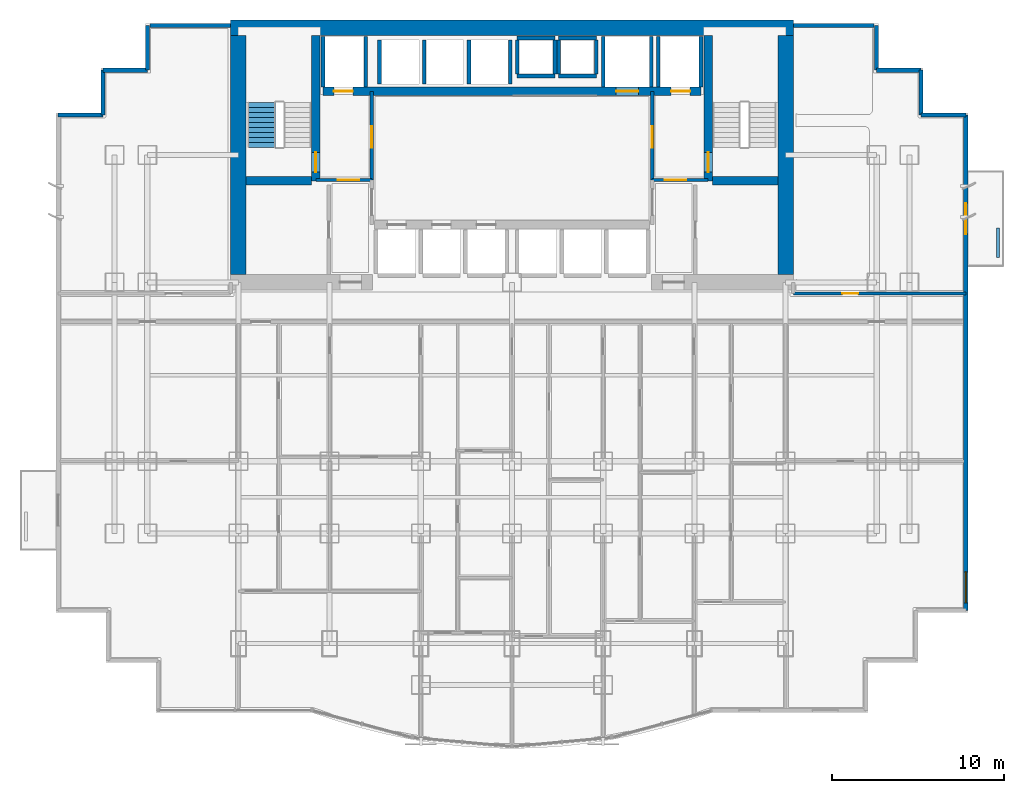
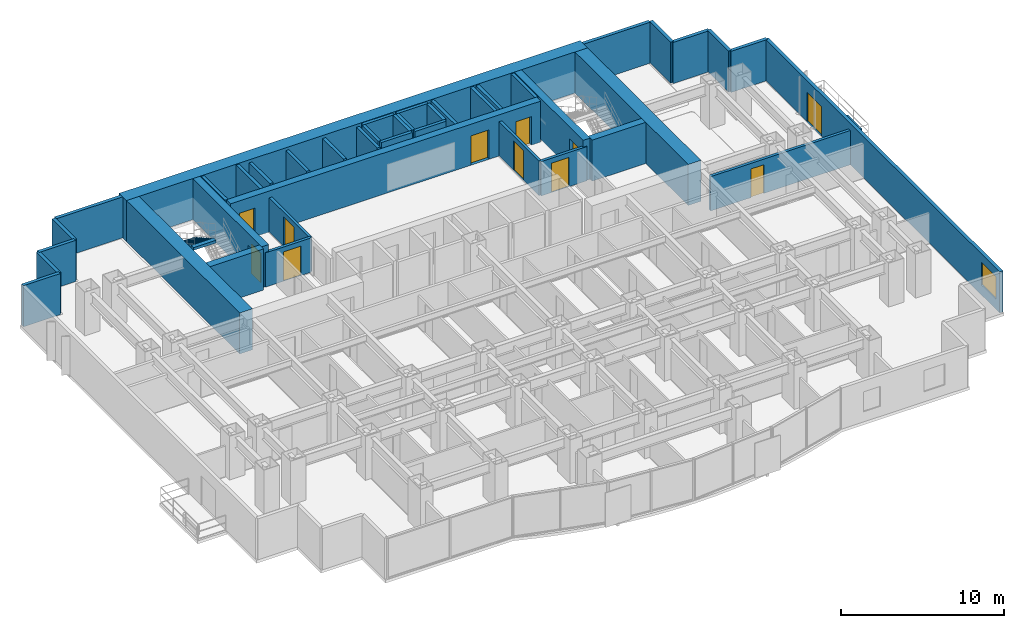
# One storey, part 7 of 10: 43 walls, 11 doors, 1 stair flight, 1 window, 12 openings, 1 element without a shape of its own.
"""IFC4 building model written with IfcOpenShell, lengths in metres."""

from ifc_helpers import new_model, si_unit, direction, frame, frame_2d, origin, place, context, subcontext, project, spatial, polyline, rectangle, outline, extrude, material, layer, layer_set, type_object, element, fill, aggregate, save


model = new_model("IFC4")

# Units and contexts
model_context = context("Model", 3, precision=1e-05, world=origin(), true_north=direction((0.0, 1.0)))
body_context = subcontext(model_context, "Body", "Model", "MODEL_VIEW")
ifc_project = project(units=[si_unit("LENGTHUNIT", "METRE"), si_unit("AREAUNIT", "SQUARE_METRE"), si_unit("VOLUMEUNIT", "CUBIC_METRE"), si_unit("PLANEANGLEUNIT", "RADIAN"), si_unit("MASSUNIT", "GRAM", prefix="KILO")], contexts=[model_context])

# Site, building, storey
site_placement = place(None, origin())
site = spatial("IfcSite", under=ifc_project, at=site_placement, CompositionType="ELEMENT")
building_placement = place(site_placement, origin())
building = spatial("IfcBuilding", under=site, at=building_placement, Name="Qianlan Lanfeng Residences", CompositionType="ELEMENT")
storey_placement = place(building_placement, frame((0.0, 0.0, 60.5)))
storey = spatial("IfcBuildingStorey", under=building, at=storey_placement, Name="L16", CompositionType="ELEMENT", Elevation=60.5)

# Wall, opening, door
ifc_material_1 = material(Name="Concrete C70", Category="concrete")
ifc_layer_1 = layer(ifc_material_1, 0.5)
ifc_layer_set_1 = layer_set([ifc_layer_1], Name="Concrete C70")
wall_type_1 = type_object("IfcWallType", Name="CW-RC-500", PredefinedType="SHEAR", material=ifc_layer_set_1)
wall_1_placement = place(storey_placement, frame((15.10009765625, 31.10009765625, 0.0), z_axis=(0.0, 0.0, 1.0), x_axis=(0.0, 1.0, 0.0)))
wall_1 = element("IfcWall", 1, at=wall_1_placement, inside=storey, type_object=wall_type_1, Name="L16 Core Shear Wall ST1E", PredefinedType="SHEAR", context=body_context, shape_type="SweptSolid", body=[
    extrude(rectangle(XDim=8.449951171875, YDim=0.5, at=frame_2d((4.22509765625, 0.0))), origin(), (0.0, 0.0, 1.0), 3.080078125),
])
opening_1_placement = place(wall_1_placement, frame((0.510009765625, 0.0, 0.0)))
opening_1 = element("IfcOpeningElement", 2, at=opening_1_placement, cuts=wall_1, Name="Opening L16-D07", PredefinedType="OPENING", context=body_context, shape_type="SweptSolid", body=[
    extrude(rectangle(XDim=1.14990234375, YDim=2.199951171875, at=frame_2d((0.574951171875, 1.10009765625))), frame((0.0, 0.260009765625, 0.0), z_axis=(0.0, -1.0, 0.0), x_axis=(1.0, 0.0, 0.0)), (0.0, 0.0, 1.0), 0.52001953125),
])
ifc_material_2 = material(Name="Painted Galvanised Steel Fire Door", Category="steel")
door_type_1 = type_object("IfcDoorType", Name="DT-ST1", OperationType="NOTDEFINED", PredefinedType="DOOR", material=ifc_material_2)
door_1_placement = place(opening_1_placement, frame((1.14990234375, 0.0, 0.0), z_axis=(0.0, 0.0, 1.0), x_axis=(-1.0, 0.0, 0.0)))
door_1 = element("IfcDoor", 3, at=door_1_placement, inside=storey, type_object=door_type_1, Name="L16 Exit Stair ST-1 Door L16-D07 (DT-ST1)", OperationType="SINGLE_SWING_RIGHT", OverallHeight=2.199951171875, OverallWidth=1.14990234375, PredefinedType="DOOR", context=body_context, shape_type="SweptSolid", body=[
    extrude(rectangle(XDim=1.14990234375, YDim=2.199951171875, at=frame_2d((0.574951171875, 1.10009765625))), frame((0.0, 0.02490234375, 0.0), z_axis=(0.0, -1.0, 0.0), x_axis=(1.0, 0.0, 0.0)), (0.0, 0.0, 1.0), 0.050048828125),
])
fill(opening_1, door_1)

# Wall
wall_2_placement = place(storey_placement, frame((11.050048828125, 31.10009765625, 0.0), z_axis=(0.0, 0.0, 1.0), x_axis=(1.0, 0.0, 0.0)))
element("IfcWall", 4, at=wall_2_placement, inside=storey, type_object=wall_type_1, Name="L16 Core Shear Wall ST1S", PredefinedType="SHEAR", context=body_context, shape_type="SweptSolid", body=[
    extrude(rectangle(XDim=3.800048828125, YDim=0.5, at=frame_2d((1.89990234375, 0.0))), origin(), (0.0, 0.0, 1.0), 3.080078125),
])

# Wall, opening, door
wall_3_placement = place(storey_placement, frame((37.89990234375, 31.10009765625, 0.0), z_axis=(0.0, 0.0, 1.0), x_axis=(0.0, 1.0, 0.0)))
wall_3 = element("IfcWall", 5, at=wall_3_placement, inside=storey, type_object=wall_type_1, Name="L16 Core Shear Wall ST2W", PredefinedType="SHEAR", context=body_context, shape_type="SweptSolid", body=[
    extrude(rectangle(XDim=8.449951171875, YDim=0.5, at=frame_2d((4.22509765625, 0.0))), origin(), (0.0, 0.0, 1.0), 3.080078125),
])
opening_2_placement = place(wall_3_placement, frame((0.510009765625, 0.0, 0.0)))
opening_2 = element("IfcOpeningElement", 6, at=opening_2_placement, cuts=wall_3, Name="Opening L16-D08", PredefinedType="OPENING", context=body_context, shape_type="SweptSolid", body=[
    extrude(rectangle(XDim=1.14990234375, YDim=2.199951171875, at=frame_2d((0.574951171875, 1.10009765625))), frame((0.0, 0.260009765625, 0.0), z_axis=(0.0, -1.0, 0.0), x_axis=(1.0, 0.0, 0.0)), (0.0, 0.0, 1.0), 0.52001953125),
])
door_2_placement = place(opening_2_placement, origin())
door_2 = element("IfcDoor", 7, at=door_2_placement, inside=storey, type_object=door_type_1, Name="L16 Exit Stair ST-2 Door L16-D08 (DT-ST1)", OperationType="SINGLE_SWING_RIGHT", OverallHeight=2.199951171875, OverallWidth=1.14990234375, PredefinedType="DOOR", context=body_context, shape_type="SweptSolid", body=[
    extrude(rectangle(XDim=1.14990234375, YDim=2.199951171875, at=frame_2d((0.574951171875, 1.10009765625))), frame((0.0, 0.02490234375, 0.0), z_axis=(0.0, -1.0, 0.0), x_axis=(1.0, 0.0, 0.0)), (0.0, 0.0, 1.0), 0.050048828125),
])
fill(opening_2, door_2)

# Wall
wall_4_placement = place(storey_placement, frame((38.14990234375, 31.10009765625, 0.0), z_axis=(0.0, 0.0, 1.0), x_axis=(1.0, 0.0, 0.0)))
element("IfcWall", 8, at=wall_4_placement, inside=storey, type_object=wall_type_1, Name="L16 Core Shear Wall ST2S", PredefinedType="SHEAR", context=body_context, shape_type="SweptSolid", body=[
    extrude(rectangle(XDim=3.800048828125, YDim=0.5, at=frame_2d((1.89990234375, 0.0))), origin(), (0.0, 0.0, 1.0), 3.080078125),
])

# Wall, openings, doors
wall_5_placement = place(storey_placement, frame((15.5, 36.300048828125, 0.0), z_axis=(0.0, 0.0, 1.0), x_axis=(1.0, 0.0, 0.0)))
wall_5 = element("IfcWall", 9, at=wall_5_placement, inside=storey, type_object=wall_type_1, Name="L16 Core Shear Wall LBN", PredefinedType="SHEAR", context=body_context, shape_type="SweptSolid", body=[
    extrude(rectangle(XDim=22.0, YDim=0.5, at=frame_2d((11.0, 0.0))), origin(), (0.0, 0.0, 1.0), 3.080078125),
])
opening_3_placement = place(wall_5_placement, frame((0.64990234375, 0.0, 0.0)))
opening_3 = element("IfcOpeningElement", 10, at=opening_3_placement, cuts=wall_5, Name="Opening L16-LD-FFL-1", PredefinedType="OPENING", context=body_context, shape_type="SweptSolid", body=[
    extrude(rectangle(XDim=1.10009765625, YDim=2.14990234375, at=frame_2d((0.550048828125, 1.074951171875))), frame((0.0, 0.260009765625, 0.0), z_axis=(0.0, -1.0, 0.0), x_axis=(1.0, 0.0, 0.0)), (0.0, 0.0, 1.0), 0.52001953125),
])
opening_4_placement = place(wall_5_placement, frame((20.25, 0.0, 0.0)))
opening_4 = element("IfcOpeningElement", 11, at=opening_4_placement, cuts=wall_5, Name="Opening L16-LD-FFL-2", PredefinedType="OPENING", context=body_context, shape_type="SweptSolid", body=[
    extrude(rectangle(XDim=1.10009765625, YDim=2.14990234375, at=frame_2d((0.550048828125, 1.074951171875))), frame((0.0, 0.260009765625, 0.0), z_axis=(0.0, -1.0, 0.0), x_axis=(1.0, 0.0, 0.0)), (0.0, 0.0, 1.0), 0.52001953125),
])
opening_5_placement = place(wall_5_placement, frame((17.050048828125, 0.0, 0.0)))
opening_5 = element("IfcOpeningElement", 12, at=opening_5_placement, cuts=wall_5, Name="Opening L16-LD-SVL-1", PredefinedType="OPENING", context=body_context, shape_type="SweptSolid", body=[
    extrude(rectangle(XDim=1.300048828125, YDim=2.199951171875, at=frame_2d((0.64990234375, 1.10009765625))), frame((0.0, 0.260009765625, 0.0), z_axis=(0.0, -1.0, 0.0), x_axis=(1.0, 0.0, 0.0)), (0.0, 0.0, 1.0), 0.52001953125),
])
ifc_material_3 = material(Name="Brushed Stainless Steel Sliding Lift Door", Category="steel")
door_type_2 = type_object("IfcDoorType", Name="LD-01", OperationType="NOTDEFINED", PredefinedType="DOOR", material=ifc_material_3)
door_3_placement = place(opening_3_placement, frame((1.10009765625, 0.0, 0.0), z_axis=(0.0, 0.0, 1.0), x_axis=(-1.0, 0.0, 0.0)))
door_3 = element("IfcDoor", 13, at=door_3_placement, inside=storey, type_object=door_type_2, Name="L16 Elevator FFL-1 Sliding Landing Door", OperationType="DOUBLE_DOOR_SLIDING", OverallHeight=2.14990234375, OverallWidth=1.10009765625, PredefinedType="DOOR", context=body_context, shape_type="SweptSolid", body=[
    extrude(rectangle(XDim=1.10009765625, YDim=2.14990234375, at=frame_2d((0.550048828125, 1.074951171875))), frame((0.0, 0.02490234375, 0.0), z_axis=(0.0, -1.0, 0.0), x_axis=(1.0, 0.0, 0.0)), (0.0, 0.0, 1.0), 0.050048828125),
])
fill(opening_3, door_3)
door_4_placement = place(opening_4_placement, frame((1.10009765625, 0.0, 0.0), z_axis=(0.0, 0.0, 1.0), x_axis=(-1.0, 0.0, 0.0)))
door_4 = element("IfcDoor", 14, at=door_4_placement, inside=storey, type_object=door_type_2, Name="L16 Elevator FFL-2 Sliding Landing Door", OperationType="DOUBLE_DOOR_SLIDING", OverallHeight=2.14990234375, OverallWidth=1.10009765625, PredefinedType="DOOR", context=body_context, shape_type="SweptSolid", body=[
    extrude(rectangle(XDim=1.10009765625, YDim=2.14990234375, at=frame_2d((0.550048828125, 1.074951171875))), frame((0.0, 0.02490234375, 0.0), z_axis=(0.0, -1.0, 0.0), x_axis=(1.0, 0.0, 0.0)), (0.0, 0.0, 1.0), 0.050048828125),
])
fill(opening_4, door_4)
door_type_3 = type_object("IfcDoorType", Name="LD-02", OperationType="NOTDEFINED", PredefinedType="DOOR", material=ifc_material_3)
door_5_placement = place(opening_5_placement, frame((1.300048828125, 0.0, 0.0), z_axis=(0.0, 0.0, 1.0), x_axis=(-1.0, 0.0, 0.0)))
door_5 = element("IfcDoor", 15, at=door_5_placement, inside=storey, type_object=door_type_3, Name="L16 Elevator SVL-1 Sliding Landing Door", OperationType="DOUBLE_DOOR_SLIDING", OverallHeight=2.199951171875, OverallWidth=1.300048828125, PredefinedType="DOOR", context=body_context, shape_type="SweptSolid", body=[
    extrude(rectangle(XDim=1.300048828125, YDim=2.199951171875, at=frame_2d((0.64990234375, 1.10009765625))), frame((0.0, 0.02490234375, 0.0), z_axis=(0.0, -1.0, 0.0), x_axis=(1.0, 0.0, 0.0)), (0.0, 0.0, 1.0), 0.050048828125),
])
fill(opening_5, door_5)

# Walls
ifc_layer_2 = layer(ifc_material_1, 0.89990234375)
ifc_layer_set_2 = layer_set([ifc_layer_2], Name="Concrete C70")
wall_type_2 = type_object("IfcWallType", Name="CW-RC-900", PredefinedType="SHEAR", material=ifc_layer_set_2)
wall_6_placement = place(storey_placement, frame((10.14990234375, 40.0, 0.0), z_axis=(0.0, 0.0, 1.0), x_axis=(1.0, 0.0, 0.0)))
element("IfcWall", 16, at=wall_6_placement, inside=storey, type_object=wall_type_2, Name="L16 Core Shear Wall N", PredefinedType="SHEAR", context=body_context, shape_type="SweptSolid", body=[
    extrude(rectangle(XDim=32.7001953125, YDim=0.89990234375, at=frame_2d((16.35009765625, 0.0))), origin(), (0.0, 0.0, 1.0), 3.080078125),
])
for number, where, z_axis, x_axis, name in (
    (17, (10.60009765625, 25.64990234375, 0.0), (0.0, 0.0, 1.0), (0.0, 1.0, 0.0), "L16 Core Shear Wall W"),
    (18, (42.39990234375, 25.64990234375, 0.0), (0.0, 0.0, 1.0), (0.0, 1.0, 0.0), "L16 Core Shear Wall E"),
):
    element("IfcWall", number, at=place(storey_placement, frame(where, z_axis=z_axis, x_axis=x_axis)), inside=storey, type_object=wall_type_2, Name=name, PredefinedType="SHEAR", context=body_context, shape_type="SweptSolid", body=[
        extrude(rectangle(XDim=13.900146484375, YDim=0.89990234375, at=frame_2d((6.9501953125, 0.0))), origin(), (0.0, 0.0, 1.0), 3.080078125),
    ])

# Wall, openings, door, window
ifc_material_4 = material(Name="Concrete C42", Category="concrete")
ifc_layer_3 = layer(ifc_material_4, 0.239990234375)
ifc_layer_set_3 = layer_set([ifc_layer_3], Name="Concrete C42")
wall_type_3 = type_object("IfcWallType", Name="EW-240", PredefinedType="SOLIDWALL", material=ifc_layer_set_3)
wall_7_placement = place(storey_placement, frame((52.8798828125, 6.1201171875, 0.0), z_axis=(0.0, 0.0, 1.0), x_axis=(0.0, 1.0, 0.0)))
wall_7 = element("IfcWall", 19, at=wall_7_placement, inside=storey, type_object=wall_type_3, Name="L16 Terrace/Balcony Access Exterior Wall 10", PredefinedType="SOLIDWALL", context=body_context, shape_type="SweptSolid", body=[
    extrude(rectangle(XDim=28.809814453125, YDim=0.239990234375, at=frame_2d((14.40478515625, 0.0))), origin(), (0.0, 0.0, 1.0), 3.080078125),
])
opening_6_placement = place(wall_7_placement, frame((21.8798828125, 0.0, 0.0)))
opening_6 = element("IfcOpeningElement", 20, at=opening_6_placement, cuts=wall_7, Name="Opening L16-D-EB-N", PredefinedType="OPENING", context=body_context, shape_type="SweptSolid", body=[
    extrude(rectangle(XDim=1.800048828125, YDim=2.199951171875, at=frame_2d((0.89990234375, 1.10009765625))), frame((0.0, 0.1298828125, 0.0), z_axis=(0.0, -1.0, 0.0), x_axis=(1.0, 0.0, 0.0)), (0.0, 0.0, 1.0), 0.260009765625),
])
opening_7_placement = place(wall_7_placement, frame((0.449951171875, 0.0, 0.75)))
opening_7 = element("IfcOpeningElement", 21, at=opening_7_placement, cuts=wall_7, Name="Opening W-01", PredefinedType="OPENING", context=body_context, shape_type="SweptSolid", body=[
    extrude(rectangle(XDim=1.800048828125, YDim=1.699951171875, at=frame_2d((0.89990234375, 0.85009765625))), frame((0.0, 0.1298828125, 0.0), z_axis=(0.0, -1.0, 0.0), x_axis=(1.0, 0.0, 0.0)), (0.0, 0.0, 1.0), 0.260009765625),
])
ifc_material_5 = material(Name="Anodised Bronze Aluminium Framed Glass", Category="aluminium")
door_type_4 = type_object("IfcDoorType", Name="DT-BAL1", OperationType="NOTDEFINED", PredefinedType="DOOR", material=ifc_material_5)
door_6_placement = place(opening_6_placement, frame((1.800048828125, 0.0, 0.0), z_axis=(0.0, 0.0, 1.0), x_axis=(-1.0, 0.0, 0.0)))
door_6 = element("IfcDoor", 22, at=door_6_placement, inside=storey, type_object=door_type_4, Name="L16 Exterior Access Door EB-N", OperationType="DOUBLE_DOOR_SLIDING", OverallHeight=2.199951171875, OverallWidth=1.800048828125, PredefinedType="DOOR", context=body_context, shape_type="SweptSolid", body=[
    extrude(rectangle(XDim=1.800048828125, YDim=2.199951171875, at=frame_2d((0.89990234375, 1.10009765625))), frame((0.0, 0.02490234375, 0.0), z_axis=(0.0, -1.0, 0.0), x_axis=(1.0, 0.0, 0.0)), (0.0, 0.0, 1.0), 0.050048828125),
])
fill(opening_6, door_6)
ifc_material_6 = material(Name="Anodised Bronze Aluminium Framed Double Glazing", Category="aluminium")
window_type = type_object("IfcWindowType", Name="W-01", PartitioningType="SINGLE_PANEL", PredefinedType="WINDOW", material=ifc_material_6)
window_placement = place(opening_7_placement, origin())
window = element("IfcWindow", 23, at=window_placement, inside=storey, type_object=window_type, Name="L16 Exterior Window W-01", OverallHeight=1.699951171875, OverallWidth=1.800048828125, PartitioningType="SINGLE_PANEL", PredefinedType="WINDOW", context=body_context, shape_type="SweptSolid", body=[
    extrude(rectangle(XDim=1.800048828125, YDim=1.699951171875, at=frame_2d((0.89990234375, 0.85009765625))), frame((0.0, 0.030029296875, 0.0), z_axis=(0.0, -1.0, 0.0), x_axis=(1.0, 0.0, 0.0)), (0.0, 0.0, 1.0), 0.06005859375),
])
fill(opening_7, window)

# Walls
wall_8_placement = place(storey_placement, frame((52.8798828125, 34.929931640625, 0.0), z_axis=(0.0, 0.0, 1.0), x_axis=(-1.0, 0.0, 0.0)))
element("IfcWall", 24, at=wall_8_placement, inside=storey, type_object=wall_type_3, Name="L16 Exterior Facade Spandrel Wall 11", PredefinedType="SOLIDWALL", context=body_context, shape_type="SweptSolid", body=[
    extrude(rectangle(XDim=2.599853515625, YDim=0.239990234375, at=frame_2d((1.2998046875, 0.0))), origin(), (0.0, 0.0, 1.0), 3.080078125),
])
for number, where, z_axis, x_axis, name in (
    (25, (50.280029296875, 34.929931640625, 0.0), (0.0, 0.0, 1.0), (0.0, 1.0, 0.0), "L16 Exterior Facade Spandrel Wall 12"),
    (26, (50.280029296875, 37.530029296875, 0.0), (0.0, 0.0, 1.0), (-1.0, 0.0, 0.0), "L16 Exterior Facade Spandrel Wall 13"),
):
    element("IfcWall", number, at=place(storey_placement, frame(where, z_axis=z_axis, x_axis=x_axis)), inside=storey, type_object=wall_type_3, Name=name, PredefinedType="SOLIDWALL", context=body_context, shape_type="SweptSolid", body=[
        extrude(rectangle(XDim=2.60009765625, YDim=0.239990234375, at=frame_2d((1.300048828125, 0.0))), origin(), (0.0, 0.0, 1.0), 3.080078125),
    ])
wall_9_placement = place(storey_placement, frame((47.679931640625, 37.530029296875, 0.0), z_axis=(0.0, 0.0, 1.0), x_axis=(0.0, 1.0, 0.0)))
element("IfcWall", 27, at=wall_9_placement, inside=storey, type_object=wall_type_3, Name="L16 Exterior Facade Spandrel Wall 14", PredefinedType="SOLIDWALL", context=body_context, shape_type="SweptSolid", body=[
    extrude(rectangle(XDim=2.599853515625, YDim=0.239990234375, at=frame_2d((1.2998046875, 0.0))), origin(), (0.0, 0.0, 1.0), 3.080078125),
])
for number, where, z_axis, x_axis, name in (
    (28, (47.550048828125, 40.1298828125, 0.0), (0.0, 0.0, 1.0), (-1.0, 0.0, 0.0), "L16 North Wing Exterior Wall E"),
    (29, (10.14990234375, 40.1298828125, 0.0), (0.0, 0.0, 1.0), (-1.0, 0.0, 0.0), "L16 North Wing Exterior Wall W"),
):
    element("IfcWall", number, at=place(storey_placement, frame(where, z_axis=z_axis, x_axis=x_axis)), inside=storey, type_object=wall_type_3, Name=name, PredefinedType="SOLIDWALL", context=body_context, shape_type="SweptSolid", body=[
        extrude(rectangle(XDim=4.699951171875, YDim=0.239990234375, at=frame_2d((2.35009765625, 0.0))), origin(), (0.0, 0.0, 1.0), 3.080078125),
    ])
wall_10_placement = place(storey_placement, frame((5.320068359375, 40.1298828125, 0.0), z_axis=(0.0, 0.0, 1.0), x_axis=(0.0, -1.0, 0.0)))
element("IfcWall", 30, at=wall_10_placement, inside=storey, type_object=wall_type_3, Name="L16 Exterior Facade Spandrel Wall 17", PredefinedType="SOLIDWALL", context=body_context, shape_type="SweptSolid", body=[
    extrude(rectangle(XDim=2.599853515625, YDim=0.239990234375, at=frame_2d((1.2998046875, 0.0))), origin(), (0.0, 0.0, 1.0), 3.080078125),
])
for number, where, z_axis, x_axis, name in (
    (31, (5.320068359375, 37.530029296875, 0.0), (0.0, 0.0, 1.0), (-1.0, 0.0, 0.0), "L16 Exterior Facade Spandrel Wall 18"),
    (32, (2.719970703125, 37.530029296875, 0.0), (0.0, 0.0, 1.0), (0.0, -1.0, 0.0), "L16 Exterior Facade Spandrel Wall 19"),
):
    element("IfcWall", number, at=place(storey_placement, frame(where, z_axis=z_axis, x_axis=x_axis)), inside=storey, type_object=wall_type_3, Name=name, PredefinedType="SOLIDWALL", context=body_context, shape_type="SweptSolid", body=[
        extrude(rectangle(XDim=2.60009765625, YDim=0.239990234375, at=frame_2d((1.300048828125, 0.0))), origin(), (0.0, 0.0, 1.0), 3.080078125),
    ])
wall_11_placement = place(storey_placement, frame((2.719970703125, 34.929931640625, 0.0), z_axis=(0.0, 0.0, 1.0), x_axis=(-1.0, 0.0, 0.0)))
element("IfcWall", 33, at=wall_11_placement, inside=storey, type_object=wall_type_3, Name="L16 Exterior Facade Spandrel Wall 20", PredefinedType="SOLIDWALL", context=body_context, shape_type="SweptSolid", body=[
    extrude(rectangle(XDim=2.599853515625, YDim=0.239990234375, at=frame_2d((1.2998046875, 0.0))), origin(), (0.0, 0.0, 1.0), 3.080078125),
])
ifc_layer_4 = layer(ifc_material_4, 0.199951171875)
ifc_layer_set_4 = layer_set([ifc_layer_4], Name="Concrete C42")
wall_type_4 = type_object("IfcWallType", Name="PL-TREE-200", PredefinedType="PARAPET", material=ifc_layer_set_4)
wall_12_placement = place(storey_placement, frame((54.75, 26.64990234375, 0.0), z_axis=(0.0, 0.0, 1.0), x_axis=(0.0, 1.0, 0.0)))
element("IfcWall", 34, at=wall_12_placement, inside=storey, type_object=wall_type_4, Name="L16 East Tree Planter Curb EB-N", PredefinedType="PARAPET", context=body_context, shape_type="SweptSolid", body=[
    extrude(rectangle(XDim=1.7001953125, YDim=0.199951171875, at=frame_2d((0.85009765625, 0.0))), origin(), (0.0, 0.0, 1.0), 0.64990234375),
])

# Wall, opening, door
ifc_material_7 = material(Name="Autoclaved Aerated Concrete Blockwork 200 mm", Category="masonry")
ifc_layer_5 = layer(ifc_material_7, 0.199951171875)
ifc_layer_set_5 = layer_set([ifc_layer_5], Name="Autoclaved Aerated Concrete Blockwork 200 mm")
wall_type_5 = type_object("IfcWallType", Name="PW-200", PredefinedType="PARTITIONING", material=ifc_layer_set_5)
wall_13_placement = place(storey_placement, frame((15.10009765625, 31.14990234375, 0.0), z_axis=(0.0, 0.0, 1.0), x_axis=(1.0, 0.0, 0.0)))
wall_13 = element("IfcWall", 35, at=wall_13_placement, inside=storey, type_object=wall_type_5, Name="L16 Firefighting Lobby 1 South Wall", PredefinedType="PARTITIONING", context=body_context, shape_type="SweptSolid", body=[
    extrude(rectangle(XDim=3.25, YDim=0.199951171875, at=frame_2d((1.625, 0.0))), origin(), (0.0, 0.0, 1.0), 2.570068359375),
])
opening_8_placement = place(wall_13_placement, frame((1.27490234375, 0.0, 0.0)))
opening_8 = element("IfcOpeningElement", 36, at=opening_8_placement, cuts=wall_13, Name="Opening L16-D03", PredefinedType="OPENING", context=body_context, shape_type="SweptSolid", body=[
    extrude(rectangle(XDim=1.25, YDim=2.199951171875, at=frame_2d((0.625, 1.10009765625))), frame((0.0, 0.10986328125, 0.0), z_axis=(0.0, -1.0, 0.0), x_axis=(1.0, 0.0, 0.0)), (0.0, 0.0, 1.0), 0.219970703125),
])
door_type_5 = type_object("IfcDoorType", Name="DT-FFL", OperationType="NOTDEFINED", PredefinedType="DOOR", material=ifc_material_2)
door_7_placement = place(opening_8_placement, origin())
door_7 = element("IfcDoor", 37, at=door_7_placement, inside=storey, type_object=door_type_5, Name="L16 Firefighting Lobby 1 Entry Door L16-D03 (DT-FFL)", OperationType="SINGLE_SWING_LEFT", OverallHeight=2.199951171875, OverallWidth=1.25, PredefinedType="DOOR", context=body_context, shape_type="SweptSolid", body=[
    extrude(rectangle(XDim=1.25, YDim=2.199951171875, at=frame_2d((0.625, 1.10009765625))), frame((0.0, 0.02490234375, 0.0), z_axis=(0.0, -1.0, 0.0), x_axis=(1.0, 0.0, 0.0)), (0.0, 0.0, 1.0), 0.050048828125),
])
fill(opening_8, door_7)

wall_14_placement = place(storey_placement, frame((18.35009765625, 31.14990234375, 0.0), z_axis=(0.0, 0.0, 1.0), x_axis=(0.0, 1.0, 0.0)))
wall_14 = element("IfcWall", 38, at=wall_14_placement, inside=storey, type_object=wall_type_5, Name="L16 Firefighting Lobby 1 East Wall", PredefinedType="PARTITIONING", context=body_context, shape_type="SweptSolid", body=[
    extrude(rectangle(XDim=5.150146484375, YDim=0.199951171875, at=frame_2d((2.5751953125, 0.0))), origin(), (0.0, 0.0, 1.0), 2.570068359375),
])
opening_9_placement = place(wall_14_placement, frame((1.875, 0.0, 0.0)))
opening_9 = element("IfcOpeningElement", 39, at=opening_9_placement, cuts=wall_14, Name="Opening L16-D04", PredefinedType="OPENING", context=body_context, shape_type="SweptSolid", body=[
    extrude(rectangle(XDim=1.25, YDim=2.199951171875, at=frame_2d((0.625, 1.10009765625))), frame((0.0, 0.10986328125, 0.0), z_axis=(0.0, -1.0, 0.0), x_axis=(1.0, 0.0, 0.0)), (0.0, 0.0, 1.0), 0.219970703125),
])
door_8_placement = place(opening_9_placement, origin())
door_8 = element("IfcDoor", 40, at=door_8_placement, inside=storey, type_object=door_type_5, Name="L16 Firefighting Lobby 1 Lift Lobby Door L16-D04 (DT-FFL)", OperationType="SINGLE_SWING_RIGHT", OverallHeight=2.199951171875, OverallWidth=1.25, PredefinedType="DOOR", context=body_context, shape_type="SweptSolid", body=[
    extrude(rectangle(XDim=1.25, YDim=2.199951171875, at=frame_2d((0.625, 1.10009765625))), frame((0.0, 0.02490234375, 0.0), z_axis=(0.0, -1.0, 0.0), x_axis=(1.0, 0.0, 0.0)), (0.0, 0.0, 1.0), 0.050048828125),
])
fill(opening_9, door_8)

wall_15_placement = place(storey_placement, frame((34.64990234375, 31.14990234375, 0.0), z_axis=(0.0, 0.0, 1.0), x_axis=(1.0, 0.0, 0.0)))
wall_15 = element("IfcWall", 41, at=wall_15_placement, inside=storey, type_object=wall_type_5, Name="L16 Firefighting Lobby 2 South Wall", PredefinedType="PARTITIONING", context=body_context, shape_type="SweptSolid", body=[
    extrude(rectangle(XDim=3.25, YDim=0.199951171875, at=frame_2d((1.625, 0.0))), origin(), (0.0, 0.0, 1.0), 2.570068359375),
])
opening_10_placement = place(wall_15_placement, frame((0.72509765625, 0.0, 0.0)))
opening_10 = element("IfcOpeningElement", 42, at=opening_10_placement, cuts=wall_15, Name="Opening L16-D05", PredefinedType="OPENING", context=body_context, shape_type="SweptSolid", body=[
    extrude(rectangle(XDim=1.25, YDim=2.199951171875, at=frame_2d((0.625, 1.10009765625))), frame((0.0, 0.10986328125, 0.0), z_axis=(0.0, -1.0, 0.0), x_axis=(1.0, 0.0, 0.0)), (0.0, 0.0, 1.0), 0.219970703125),
])
door_9_placement = place(opening_10_placement, origin())
door_9 = element("IfcDoor", 43, at=door_9_placement, inside=storey, type_object=door_type_5, Name="L16 Firefighting Lobby 2 Entry Door L16-D05 (DT-FFL)", OperationType="SINGLE_SWING_RIGHT", OverallHeight=2.199951171875, OverallWidth=1.25, PredefinedType="DOOR", context=body_context, shape_type="SweptSolid", body=[
    extrude(rectangle(XDim=1.25, YDim=2.199951171875, at=frame_2d((0.625, 1.10009765625))), frame((0.0, 0.02490234375, 0.0), z_axis=(0.0, -1.0, 0.0), x_axis=(1.0, 0.0, 0.0)), (0.0, 0.0, 1.0), 0.050048828125),
])
fill(opening_10, door_9)

wall_16_placement = place(storey_placement, frame((34.64990234375, 31.14990234375, 0.0), z_axis=(0.0, 0.0, 1.0), x_axis=(0.0, 1.0, 0.0)))
wall_16 = element("IfcWall", 44, at=wall_16_placement, inside=storey, type_object=wall_type_5, Name="L16 Firefighting Lobby 2 West Wall", PredefinedType="PARTITIONING", context=body_context, shape_type="SweptSolid", body=[
    extrude(rectangle(XDim=5.150146484375, YDim=0.199951171875, at=frame_2d((2.5751953125, 0.0))), origin(), (0.0, 0.0, 1.0), 2.570068359375),
])
opening_11_placement = place(wall_16_placement, frame((1.875, 0.0, 0.0)))
opening_11 = element("IfcOpeningElement", 45, at=opening_11_placement, cuts=wall_16, Name="Opening L16-D06", PredefinedType="OPENING", context=body_context, shape_type="SweptSolid", body=[
    extrude(rectangle(XDim=1.25, YDim=2.199951171875, at=frame_2d((0.625, 1.10009765625))), frame((0.0, 0.10986328125, 0.0), z_axis=(0.0, -1.0, 0.0), x_axis=(1.0, 0.0, 0.0)), (0.0, 0.0, 1.0), 0.219970703125),
])
door_10_placement = place(opening_11_placement, origin())
door_10 = element("IfcDoor", 46, at=door_10_placement, inside=storey, type_object=door_type_5, Name="L16 Firefighting Lobby 2 Lift Lobby Door L16-D06 (DT-FFL)", OperationType="SINGLE_SWING_RIGHT", OverallHeight=2.199951171875, OverallWidth=1.25, PredefinedType="DOOR", context=body_context, shape_type="SweptSolid", body=[
    extrude(rectangle(XDim=1.25, YDim=2.199951171875, at=frame_2d((0.625, 1.10009765625))), frame((0.0, 0.02490234375, 0.0), z_axis=(0.0, -1.0, 0.0), x_axis=(1.0, 0.0, 0.0)), (0.0, 0.0, 1.0), 0.050048828125),
])
fill(opening_11, door_10)

wall_17_placement = place(storey_placement, frame((42.85009765625, 24.550048828125, 0.0), z_axis=(0.0, 0.0, 1.0), x_axis=(1.0, 0.0, 0.0)))
wall_17 = element("IfcWall", 47, at=wall_17_placement, inside=storey, type_object=wall_type_5, Name="L16 Corridor NE Wall", PredefinedType="PARTITIONING", context=body_context, shape_type="SweptSolid", body=[
    extrude(rectangle(XDim=10.02978515625, YDim=0.199951171875, at=frame_2d((5.014892578125, 0.0))), origin(), (0.0, 0.0, 1.0), 2.570068359375),
])
opening_12_placement = place(wall_17_placement, frame((2.85498046875, 0.0, 0.0)))
opening_12 = element("IfcOpeningElement", 48, at=opening_12_placement, cuts=wall_17, Name="Opening L16-D41", PredefinedType="OPENING", context=body_context, shape_type="SweptSolid", body=[
    extrude(rectangle(XDim=0.919921875, YDim=2.14990234375, at=frame_2d((0.4599609375, 1.074951171875))), frame((0.0, 0.10986328125, 0.0), z_axis=(0.0, -1.0, 0.0), x_axis=(1.0, 0.0, 0.0)), (0.0, 0.0, 1.0), 0.219970703125),
])
ifc_material_8 = material(Name="Glazed Timber Kitchen/Study Door", Category="wood")
door_type_6 = type_object("IfcDoorType", Name="DT-INT", OperationType="NOTDEFINED", PredefinedType="DOOR", material=ifc_material_8)
door_11_placement = place(opening_12_placement, origin())
door_11 = element("IfcDoor", 49, at=door_11_placement, inside=storey, type_object=door_type_6, Name="L16 EW Amenity Salon Door L16-D41 (DT-INT)", OperationType="SINGLE_SWING_LEFT", OverallHeight=2.14990234375, OverallWidth=0.919921875, PredefinedType="DOOR", context=body_context, shape_type="SweptSolid", body=[
    extrude(rectangle(XDim=0.919921875, YDim=2.14990234375, at=frame_2d((0.4599609375, 1.074951171875))), frame((0.0, 0.02490234375, 0.0), z_axis=(0.0, -1.0, 0.0), x_axis=(1.0, 0.0, 0.0)), (0.0, 0.0, 1.0), 0.050048828125),
])
fill(opening_12, door_11)

# Walls
ifc_material_9 = material(Name="Concrete C49", Category="concrete")
ifc_layer_6 = layer(ifc_material_9, 0.219970703125)
ifc_layer_set_6 = layer_set([ifc_layer_6], Name="Concrete C49")
wall_type_6 = type_object("IfcWallType", Name="SHW-220", PredefinedType="SOLIDWALL", material=ifc_layer_set_6)
for number, where, z_axis, x_axis, name in (
    (50, (15.52001953125, 36.550048828125, 0.0), (0.0, 0.0, 1.0), (0.0, 1.0, 0.0), "L16 Lift FFL-1 Shaft Wall W"),
    (51, (18.0, 36.550048828125, 0.0), (0.0, 0.0, 1.0), (0.0, 1.0, 0.0), "L16 Lift FFL-1 Shaft Wall E"),
    (52, (35.0, 36.550048828125, 0.0), (0.0, 0.0, 1.0), (0.0, 1.0, 0.0), "L16 Lift FFL-2 Shaft Wall W"),
    (53, (37.47998046875, 36.550048828125, 0.0), (0.0, 0.0, 1.0), (0.0, 1.0, 0.0), "L16 Lift FFL-2 Shaft Wall E"),
    (54, (31.800048828125, 36.550048828125, 0.0), (0.0, 0.0, 1.0), (0.0, 1.0, 0.0), "L16 Lift SVL-1 Shaft Wall W"),
    (55, (34.60009765625, 36.550048828125, 0.0), (0.0, 0.0, 1.0), (0.0, 1.0, 0.0), "L16 Lift SVL-1 Shaft Wall E"),
):
    element("IfcWall", number, at=place(storey_placement, frame(where, z_axis=z_axis, x_axis=x_axis)), inside=storey, type_object=wall_type_6, Name=name, PredefinedType="SOLIDWALL", context=body_context, shape_type="SweptSolid", body=[
        extrude(rectangle(XDim=2.929931640625, YDim=0.219970703125, at=frame_2d((1.46484375, 0.0))), origin(), (0.0, 0.0, 1.0), 3.080078125),
    ])
for number, where, z_axis, x_axis, name in (
    (56, (18.800048828125, 36.719970703125, 0.0), (0.0, 0.0, 1.0), (0.0, 1.0, 0.0), "L16 Lift PL-H1 Shaft Wall W"),
    (57, (21.39990234375, 36.719970703125, 0.0), (0.0, 0.0, 1.0), (0.0, 1.0, 0.0), "L16 Lift PL-H2 Shaft Wall W"),
    (58, (24.0, 36.719970703125, 0.0), (0.0, 0.0, 1.0), (0.0, 1.0, 0.0), "L16 Lift PL-H3 Shaft Wall W"),
    (59, (26.39990234375, 36.719970703125, 0.0), (0.0, 0.0, 1.0), (0.0, 1.0, 0.0), "L16 Lift PL-H3 Shaft Wall E"),
):
    element("IfcWall", number, at=place(storey_placement, frame(where, z_axis=z_axis, x_axis=x_axis)), inside=storey, type_object=wall_type_6, Name=name, PredefinedType="SOLIDWALL", context=body_context, shape_type="SweptSolid", body=[
        extrude(rectangle(XDim=2.56005859375, YDim=0.219970703125, at=frame_2d((1.280029296875, 0.0))), origin(), (0.0, 0.0, 1.0), 3.080078125),
    ])
for number, where, z_axis, x_axis, name in (
    (60, (26.800048828125, 37.31005859375, 0.0), (0.0, 0.0, 1.0), (0.0, 1.0, 0.0), "L16 MEP Riser MEP-R1 Shaft Wall W"),
    (61, (29.0, 37.31005859375, 0.0), (0.0, 0.0, 1.0), (0.0, 1.0, 0.0), "L16 MEP Riser MEP-R1 Shaft Wall E"),
):
    element("IfcWall", number, at=place(storey_placement, frame(where, z_axis=z_axis, x_axis=x_axis)), inside=storey, type_object=wall_type_6, Name=name, PredefinedType="SOLIDWALL", context=body_context, shape_type="SweptSolid", body=[
        extrude(rectangle(XDim=1.97998046875, YDim=0.219970703125, at=frame_2d((0.989990234375, 0.0))), origin(), (0.0, 0.0, 1.0), 3.080078125),
    ])
for number, where, z_axis, x_axis, name in (
    (62, (26.800048828125, 39.39990234375, 0.0), (0.0, 0.0, 1.0), (1.0, 0.0, 0.0), "L16 MEP Riser MEP-R1 Shaft Wall N"),
    (63, (26.800048828125, 37.199951171875, 0.0), (0.0, 0.0, 1.0), (1.0, 0.0, 0.0), "L16 MEP Riser MEP-R1 Shaft Wall S"),
):
    element("IfcWall", number, at=place(storey_placement, frame(where, z_axis=z_axis, x_axis=x_axis)), inside=storey, type_object=wall_type_6, Name=name, PredefinedType="SOLIDWALL", context=body_context, shape_type="SweptSolid", body=[
        extrude(rectangle(XDim=2.199951171875, YDim=0.219970703125, at=frame_2d((1.10009765625, 0.0))), origin(), (0.0, 0.0, 1.0), 3.080078125),
    ])
for number, where, z_axis, x_axis, name in (
    (64, (29.199951171875, 37.31005859375, 0.0), (0.0, 0.0, 1.0), (0.0, 1.0, 0.0), "L16 MEP Riser MEP-R2 Shaft Wall W"),
    (65, (31.39990234375, 37.31005859375, 0.0), (0.0, 0.0, 1.0), (0.0, 1.0, 0.0), "L16 MEP Riser MEP-R2 Shaft Wall E"),
):
    element("IfcWall", number, at=place(storey_placement, frame(where, z_axis=z_axis, x_axis=x_axis)), inside=storey, type_object=wall_type_6, Name=name, PredefinedType="SOLIDWALL", context=body_context, shape_type="SweptSolid", body=[
        extrude(rectangle(XDim=1.97998046875, YDim=0.219970703125, at=frame_2d((0.989990234375, 0.0))), origin(), (0.0, 0.0, 1.0), 3.080078125),
    ])
for number, where, z_axis, x_axis, name in (
    (66, (29.199951171875, 39.39990234375, 0.0), (0.0, 0.0, 1.0), (1.0, 0.0, 0.0), "L16 MEP Riser MEP-R2 Shaft Wall N"),
    (67, (29.199951171875, 37.199951171875, 0.0), (0.0, 0.0, 1.0), (1.0, 0.0, 0.0), "L16 MEP Riser MEP-R2 Shaft Wall S"),
):
    element("IfcWall", number, at=place(storey_placement, frame(where, z_axis=z_axis, x_axis=x_axis)), inside=storey, type_object=wall_type_6, Name=name, PredefinedType="SOLIDWALL", context=body_context, shape_type="SweptSolid", body=[
        extrude(rectangle(XDim=2.199951171875, YDim=0.219970703125, at=frame_2d((1.10009765625, 0.0))), origin(), (0.0, 0.0, 1.0), 3.080078125),
    ])

# Stair, stair flight
stair_type = type_object("IfcStairType", Name="STR-MAIN", PredefinedType="HALF_TURN_STAIR", material=ifc_material_4)
stair_placement = place(storey_placement, origin())
stair = element("IfcStair", 68, at=stair_placement, inside=storey, type_object=stair_type, Name="L16 Exit Stair ST-1", PredefinedType="HALF_TURN_STAIR")
stair_flight_type = type_object("IfcStairFlightType", Name="FLT-1720", PredefinedType="STRAIGHT", material=ifc_material_4)
stair_flight_placement = place(storey_placement, frame((11.93994140625, 35.659912109375, 1.64990234375), z_axis=(0.0, 0.0, 1.0), x_axis=(0.0, -1.0, 0.0)))
stair_flight = element("IfcStairFlight", 69, at=stair_flight_placement, type_object=stair_flight_type, Name="ST-1 flight 2", NumberOfRisers=10, NumberOfTreads=9, PredefinedType="STRAIGHT", RiserHeight=0.165, TreadLength=0.29, context=body_context, shape_type="SweptSolid", body=[
    extrude(outline(polyline([(0.0, 0.0), (0.0, 0.1650390625), (0.2900390625, 0.1650390625), (0.2900390625, 0.330078125), (0.580078125, 0.330078125), (0.580078125, 0.4951171875), (0.8701171875, 0.4951171875), (0.8701171875, 0.659912109375), (1.159912109375, 0.659912109375), (1.159912109375, 0.824951171875), (1.449951171875, 0.824951171875), (1.449951171875, 0.989990234375), (1.739990234375, 0.989990234375), (1.739990234375, 1.155029296875), (2.030029296875, 1.155029296875), (2.030029296875, 1.320068359375), (2.320068359375, 1.320068359375), (2.320068359375, 1.485107421875), (2.610107421875, 1.485107421875), (2.610107421875, 1.64990234375), (2.610107421875, 1.278076171875), (0.36376953125, 0.0), (0.0, 0.0)])), frame((0.0, 0.800048828125, 0.0), z_axis=(0.0, -1.0, 0.0), x_axis=(1.0, 0.0, 0.0)), (0.0, 0.0, 1.0), 1.60009765625),
])
aggregate(stair, [stair_flight])

save(model, "model.ifc")
